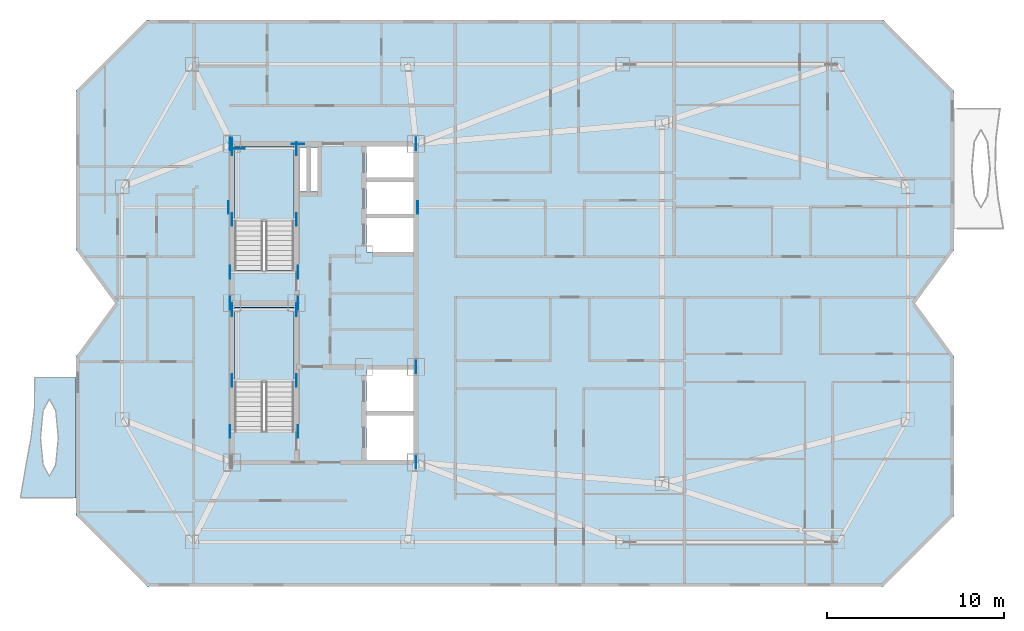
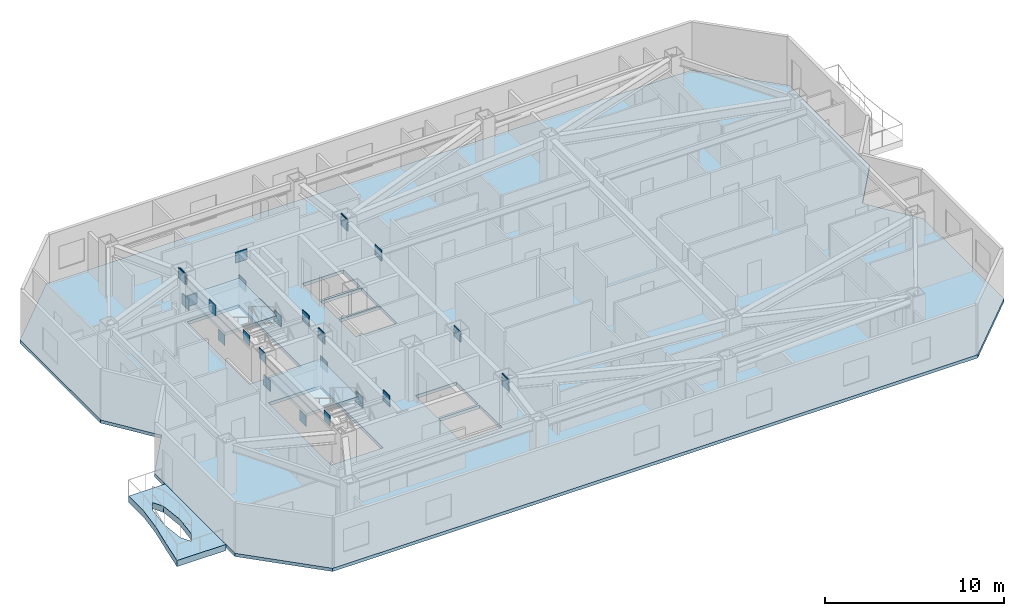
# One storey, part 2 of 10: 25 plates, 4 slabs, 2 elements without a shape of their own.
"""IFC4 building model written with IfcOpenShell, lengths in metres."""

import ifcopenshell
import ifcopenshell.guid

model = None  # the IFC model being written
_history = None  # IfcOwnerHistory: only IFC2X3 demands one
_inside = {}  # id of a spatial element -> (the spatial element, [elements in it])
_under = {}  # id of a project, library or spatial element -> (it, [spatial elements below it])
_declared = {}  # id of a project -> (the project, [libraries it declares])
_typed = {}  # id of a type object -> (the type object, [elements of that type])
_made_of = {}  # id of a material, layer set ... -> (it, [elements and type objects made of it])


def new_model(schema):
    """Start an empty IFC model of exactly this schema.

    Asked for "IFC4X3", IfcOpenShell would pick the latest addendum, in which some entities
    have other attributes; the version numbers below select the first issue.
    IFC2X3 requires an IfcOwnerHistory on every rooted entity: one is made here for all.
    """
    global model, _history
    if schema == "IFC4X3":
        model = ifcopenshell.file(schema_version=(4, 3, 0, 0))
    else:
        model = ifcopenshell.file(schema=schema)
    _inside.clear()
    _under.clear()
    _declared.clear()
    _typed.clear()
    _made_of.clear()
    _history = None
    if model.schema == "IFC2X3":
        org = make("IfcOrganization", Name="unknown")
        user = make(
            "IfcPersonAndOrganization",
            ThePerson=make("IfcPerson", FamilyName="unknown"),
            TheOrganization=org,
        )
        app = make(
            "IfcApplication",
            ApplicationDeveloper=org,
            Version="unknown",
            ApplicationFullName="unknown",
            ApplicationIdentifier="unknown",
        )
        _history = make(
            "IfcOwnerHistory",
            OwningUser=user,
            OwningApplication=app,
            ChangeAction="ADDED",
            CreationDate=0,
        )
    return model


def make(cls, **values):
    """One entity of the class cls with the attributes given. An attribute that is None is left unset."""
    return model.create_entity(
        cls, **{name: value for name, value in values.items() if value is not None}
    )


def rooted(cls, **values):
    """An entity with a GlobalId (a new one), such as an element, a storey or a relation."""
    return make(cls, GlobalId=ifcopenshell.guid.new(), OwnerHistory=_history, **values)


def si_unit(unit_type, name, prefix=None):
    """IfcSIUnit, for example si_unit("LENGTHUNIT", "METRE", prefix="MILLI")."""
    return make("IfcSIUnit", UnitType=unit_type, Prefix=prefix, Name=name)


def assignment(units):
    """IfcUnitAssignment: the units of a project."""
    return None if units is None else make("IfcUnitAssignment", Units=units)


def point(xyz):
    """IfcCartesianPoint."""
    return None if xyz is None else make("IfcCartesianPoint", Coordinates=xyz)


def direction(xyz):
    """IfcDirection."""
    return None if xyz is None else make("IfcDirection", DirectionRatios=xyz)


def frame(location, z_axis=None, x_axis=None):
    """IfcAxis2Placement3D, a coordinate frame: its origin and axes. An axis left out is left unset."""
    return make(
        "IfcAxis2Placement3D",
        Location=point(location),
        Axis=direction(z_axis),
        RefDirection=direction(x_axis),
    )


def frame_2d(location, x_axis=None):
    """IfcAxis2Placement2D, a coordinate frame in the plane: its origin and x axis."""
    return make(
        "IfcAxis2Placement2D", Location=point(location), RefDirection=direction(x_axis)
    )


def origin():
    """The frame at (0, 0, 0) with its axes left unset."""
    return frame((0.0, 0.0, 0.0))


def origin_2d():
    """The frame at (0, 0) in the plane with its x axis left unset."""
    return frame_2d((0.0, 0.0))


def place(relative_to, where):
    """IfcLocalPlacement: puts the frame where relative to a parent placement (None: the world)."""
    return make(
        "IfcLocalPlacement", PlacementRelTo=relative_to, RelativePlacement=where
    )


def context(
    kind, dimensions, precision=None, world=None, true_north=None, identifier=None
):
    """IfcGeometricRepresentationContext, for example the 3D "Model" context."""
    return make(
        "IfcGeometricRepresentationContext",
        ContextIdentifier=identifier,
        ContextType=kind,
        CoordinateSpaceDimension=dimensions,
        Precision=precision,
        WorldCoordinateSystem=world,
        TrueNorth=true_north,
    )


def subcontext(parent, identifier, kind, view, scale=None):
    """IfcGeometricRepresentationSubContext, for example "Body" below "Model"."""
    return make(
        "IfcGeometricRepresentationSubContext",
        ContextIdentifier=identifier,
        ContextType=kind,
        ParentContext=parent,
        TargetScale=scale,
        TargetView=view,
    )


def project(units=None, contexts=None):
    """IfcProject with its units and contexts."""
    return rooted(
        "IfcProject",
        Name="project",
        RepresentationContexts=contexts,
        UnitsInContext=assignment(units),
    )


def spatial(cls, under=None, at=None, **own):
    """A site, building, storey or space (cls), placed at a placement, below another one or the project."""
    s = rooted(cls, ObjectPlacement=at, **own)
    if under is not None:
        _under.setdefault(under.id(), (under, []))[1].append(s)
    return s


def polyline(points):
    """IfcPolyline through the points."""
    return make("IfcPolyline", Points=[point(p) for p in points])


def profile(cls, at=None, kind="AREA", **sizes):
    """A parametric profile (cls). Its sizes go by their IFC names, for example OverallWidth=200.0."""
    return make(cls, ProfileType=kind, Position=at, **sizes)


def rectangle(**sizes):
    """IfcRectangleProfileDef."""
    return profile("IfcRectangleProfileDef", **sizes)


def outline(outer, holes=None, kind="AREA"):
    """IfcArbitraryClosedProfileDef: a profile drawn as a closed curve; with holes, ...WithVoids."""
    if holes is None:
        return make("IfcArbitraryClosedProfileDef", ProfileType=kind, OuterCurve=outer)
    return make(
        "IfcArbitraryProfileDefWithVoids",
        ProfileType=kind,
        OuterCurve=outer,
        InnerCurves=holes,
    )


def extrude(swept, where, along, depth):
    """IfcExtrudedAreaSolid: the profile swept, set in the frame where, extruded along a direction by depth."""
    return make(
        "IfcExtrudedAreaSolid",
        SweptArea=swept,
        Position=where,
        ExtrudedDirection=direction(along),
        Depth=depth,
    )


def shape(context_of_items, identifier, shape_type, items):
    """IfcShapeRepresentation: the items that make up one representation, for example the "Body"."""
    return make(
        "IfcShapeRepresentation",
        ContextOfItems=context_of_items,
        RepresentationIdentifier=identifier,
        RepresentationType=shape_type,
        Items=items,
    )


def material(Name=None, Category=None):
    """IfcMaterial."""
    return make("IfcMaterial", Name=Name, Category=Category)


def layer(
    of_material, thickness, ventilated=None, Name=None, Category=None, Priority=None
):
    """IfcMaterialLayer: one layer of a wall or slab, of a material (None: an air gap)."""
    return make(
        "IfcMaterialLayer",
        Material=of_material,
        LayerThickness=thickness,
        IsVentilated=ventilated,
        Name=Name,
        Category=Category,
        Priority=Priority,
    )


def layer_set(layers, Name=None):
    """IfcMaterialLayerSet."""
    return make("IfcMaterialLayerSet", MaterialLayers=layers, LayerSetName=Name)


def made_of(thing, what):
    """Note that an element or type object is made of a material, layer set ...; save() writes the relation."""
    if what is not None:
        _made_of.setdefault(what.id(), (what, []))[1].append(thing)
    return thing


def type_object(cls, material=None, **own):
    """A type object (cls), such as IfcWallType, which elements share."""
    return made_of(rooted(cls, **own), material)


def element(
    cls,
    number,
    at=None,
    inside=None,
    cuts=None,
    type_object=None,
    material=None,
    context=None,
    identifier="Body",
    shape_type=None,
    held_by="IfcProductDefinitionShape",
    body=None,
    shapes=None,
    **own,
):
    """One element of the class cls, such as IfcWall. Its Tag is "e" and its number.

    at: its placement. inside: the storey or other place that contains it. cuts: it is an
    opening in that element (IfcRelVoidsElement). A single representation is given by context,
    identifier, shape_type and body (its items); several are given by shapes. held_by: the class
    of the entity that holds the representations. save() writes the other relations.
    """
    e = rooted(cls, Tag="e%d" % number, ObjectPlacement=at, **own)
    if body is not None:
        shapes = [shape(context, identifier, shape_type, body)]
    if shapes is not None:
        e.Representation = make(held_by, Representations=shapes)
    if inside is not None:
        _inside.setdefault(inside.id(), (inside, []))[1].append(e)
    if cuts is not None:
        rooted(
            "IfcRelVoidsElement", RelatingBuildingElement=cuts, RelatedOpeningElement=e
        )
    if type_object is not None:
        _typed.setdefault(type_object.id(), (type_object, []))[1].append(e)
    return made_of(e, material)


def aggregate(whole, parts):
    """IfcRelAggregates: a whole, such as a stair, and the parts it consists of."""
    return rooted("IfcRelAggregates", RelatingObject=whole, RelatedObjects=parts)


def save(model, path):
    """Write the relations noted so far, then the file.

    IfcRelAggregates (storeys below a building ...), IfcRelContainedInSpatialStructure (elements
    in a storey), IfcRelDefinesByType, IfcRelAssociatesMaterial and IfcRelDeclares: one each for
    every whole, place, type object, material and project.
    """
    for whole, parts in _under.values():
        aggregate(whole, parts)
    for where, things in _inside.values():
        rooted(
            "IfcRelContainedInSpatialStructure",
            RelatedElements=things,
            RelatingStructure=where,
        )
    for kind, things in _typed.values():
        rooted("IfcRelDefinesByType", RelatedObjects=things, RelatingType=kind)
    for what, things in _made_of.values():
        rooted("IfcRelAssociatesMaterial", RelatedObjects=things, RelatingMaterial=what)
    for by, libraries in _declared.values():
        rooted("IfcRelDeclares", RelatingContext=by, RelatedDefinitions=libraries)
    model.write(path)


model = new_model("IFC4")

# Units and contexts
model_context = context("Model", 3, precision=1e-05, world=origin(), true_north=direction((0.0, 1.0)))
body_context = subcontext(model_context, "Body", "Model", "MODEL_VIEW")
ifc_project = project(units=[si_unit("LENGTHUNIT", "METRE"), si_unit("AREAUNIT", "SQUARE_METRE"), si_unit("VOLUMEUNIT", "CUBIC_METRE"), si_unit("PLANEANGLEUNIT", "RADIAN"), si_unit("MASSUNIT", "GRAM", prefix="KILO")], contexts=[model_context])

# Site, building, storey
site_placement = place(None, origin())
site = spatial("IfcSite", under=ifc_project, at=site_placement, CompositionType="ELEMENT")
building_placement = place(site_placement, origin())
building = spatial("IfcBuilding", under=site, at=building_placement, Name="Khamvora Tower", CompositionType="ELEMENT")
storey_placement = place(building_placement, frame((0.0, 0.0, 250.050048828125)))
storey = spatial("IfcBuildingStorey", under=building, at=storey_placement, Name="L64", CompositionType="ELEMENT", Elevation=250.050048828125)

# Plates
ifc_material_1 = material(Name="Steel S460", Category="steel")
ifc_layer_1 = layer(ifc_material_1, 0.034912109375)
ifc_layer_set_1 = layer_set([ifc_layer_1], Name="Steel S460")
plate_type = type_object("IfcPlateType", Name="PL-EMB-35", PredefinedType="SHEET", material=ifc_layer_set_1)
for number, where, z_axis, x_axis, name in (
    (1, (29.0, 23.635009765625, 1.1337890625), (0.0, 0.0, 1.0), (1.0, 0.0, 0.0), "L64 core shear wall cast-in embed plate 1860"),
    (2, (32.64990234375, 23.635009765625, 1.1337890625), (0.0, 0.0, 1.0), (1.0, 0.0, 0.0), "L64 core shear wall cast-in embed plate 1861"),
    (3, (29.0, 27.6298828125, 1.1337890625), (0.0, 0.0, 1.0), (1.0, 0.0, 0.0), "L64 core shear wall cast-in embed plate 1862"),
    (4, (32.64990234375, 27.6298828125, 1.1337890625), (0.0, 0.0, 1.0), (1.0, 0.0, 0.0), "L64 core shear wall cast-in embed plate 1863"),
    (5, (29.0, 32.735107421875, 1.1337890625), (0.0, 0.0, 1.0), (1.0, 0.0, 0.0), "L64 core shear wall cast-in embed plate 1864"),
    (6, (32.64990234375, 32.735107421875, 1.1337890625), (0.0, 0.0, 1.0), (1.0, 0.0, 0.0), "L64 core shear wall cast-in embed plate 1865"),
    (7, (29.0, 36.72998046875, 1.1337890625), (0.0, 0.0, 1.0), (1.0, 0.0, 0.0), "L64 core shear wall cast-in embed plate 1866"),
    (8, (32.64990234375, 36.72998046875, 1.1337890625), (0.0, 0.0, 1.0), (1.0, 0.0, 0.0), "L64 core shear wall cast-in embed plate 1867"),
):
    element("IfcPlate", number, at=place(storey_placement, frame(where, z_axis=z_axis, x_axis=x_axis)), inside=storey, type_object=plate_type, Name=name, PredefinedType="SHEET", context=body_context, shape_type="SweptSolid", body=[
        extrude(rectangle(XDim=0.034912109375, YDim=0.719970703125, at=origin_2d()), origin(), (0.0, 0.0, 1.0), 0.719970703125),
    ])
plate_1_placement = place(storey_placement, frame((29.35009765625, 36.72998046875, 1.1337890625), z_axis=(0.0, 0.0, 1.0), x_axis=(1.0, 0.0, 0.0)))
element("IfcPlate", 9, at=plate_1_placement, inside=storey, type_object=plate_type, Name="L64 core shear wall cast-in embed plate 1868", PredefinedType="SHEET", context=body_context, shape_type="SweptSolid", body=[
    extrude(rectangle(XDim=0.719970703125, YDim=0.034912109375, at=origin_2d()), origin(), (0.0, 0.0, 1.0), 0.719970703125),
])
for number, where, z_axis, x_axis, name in (
    (10, (39.39990234375, 19.0, 2.72216796875), (0.0, 0.0, 1.0), (1.0, 0.0, 0.0), "L64 core shear wall cast-in embed plate 1870"),
    (11, (29.0, 37.0, 2.72216796875), (0.0, 0.0, 1.0), (1.0, 0.0, 0.0), "L64 core shear wall cast-in embed plate 1871"),
    (12, (39.39990234375, 37.0, 2.72216796875), (0.0, 0.0, 1.0), (1.0, 0.0, 0.0), "L64 core shear wall cast-in embed plate 1872"),
    (13, (28.89990234375, 28.0, 2.802734375), (0.0, 0.0, 1.0), (1.0, 0.0, 0.0), "L64 core shear wall cast-in embed plate 1874"),
    (14, (28.89990234375, 37.0, 2.802734375), (0.0, 0.0, 1.0), (1.0, 0.0, 0.0), "L64 core shear wall cast-in embed plate 1875"),
    (15, (32.72998046875, 28.0, 2.802734375), (0.0, 0.0, 1.0), (1.0, 0.0, 0.0), "L64 core shear wall cast-in embed plate 1877"),
):
    element("IfcPlate", number, at=place(storey_placement, frame(where, z_axis=z_axis, x_axis=x_axis)), inside=storey, type_object=plate_type, Name=name, PredefinedType="SHEET", context=body_context, shape_type="SweptSolid", body=[
        extrude(rectangle(XDim=0.034912109375, YDim=0.719970703125, at=origin_2d()), origin(), (0.0, 0.0, 1.0), 0.719970703125),
    ])
plate_2_placement = place(storey_placement, frame((32.72998046875, 37.0, 2.802734375), z_axis=(0.0, 0.0, 1.0), x_axis=(1.0, 0.0, 0.0)))
element("IfcPlate", 16, at=plate_2_placement, inside=storey, type_object=plate_type, Name="L64 core shear wall cast-in embed plate 1878", PredefinedType="SHEET", context=body_context, shape_type="SweptSolid", body=[
    extrude(rectangle(XDim=0.719970703125, YDim=0.034912109375, at=origin_2d()), origin(), (0.0, 0.0, 1.0), 0.719970703125),
])
for number, where, z_axis, x_axis, name in (
    (17, (39.39990234375, 19.0, 2.802734375), (0.0, 0.0, 1.0), (1.0, 0.0, 0.0), "L64 core shear wall cast-in embed plate 1879"),
    (18, (39.39990234375, 24.39990234375, 2.802734375), (0.0, 0.0, 1.0), (1.0, 0.0, 0.0), "L64 core shear wall cast-in embed plate 1880"),
    (19, (39.39990234375, 37.0, 2.802734375), (0.0, 0.0, 1.0), (1.0, 0.0, 0.0), "L64 core shear wall cast-in embed plate 1881"),
    (20, (28.89990234375, 20.75, 2.94384765625), (0.0, 0.0, 1.0), (1.0, 0.0, 0.0), "L64 core shear wall cast-in embed plate 1882"),
    (21, (32.72998046875, 20.75, 2.94384765625), (0.0, 0.0, 1.0), (1.0, 0.0, 0.0), "L64 core shear wall cast-in embed plate 1883"),
    (22, (28.89990234375, 29.75, 2.94384765625), (0.0, 0.0, 1.0), (1.0, 0.0, 0.0), "L64 core shear wall cast-in embed plate 1884"),
    (23, (32.72998046875, 29.75, 2.94384765625), (0.0, 0.0, 1.0), (1.0, 0.0, 0.0), "L64 core shear wall cast-in embed plate 1885"),
    (24, (28.800048828125, 33.39990234375, 2.83984375), (0.0, 0.0, 1.0), (1.0, 0.0, 0.0), "L64 core shear wall cast-in embed plate 1886"),
    (25, (39.4990234375, 33.39990234375, 2.83984375), (0.0, 0.0, 1.0), (1.0, 0.0, 0.0), "L64 core shear wall cast-in embed plate 1887"),
):
    element("IfcPlate", number, at=place(storey_placement, frame(where, z_axis=z_axis, x_axis=x_axis)), inside=storey, type_object=plate_type, Name=name, PredefinedType="SHEET", context=body_context, shape_type="SweptSolid", body=[
        extrude(rectangle(XDim=0.034912109375, YDim=0.719970703125, at=origin_2d()), origin(), (0.0, 0.0, 1.0), 0.719970703125),
    ])

# Slab
ifc_material_2 = material(Name="Concrete C40/50", Category="concrete")
ifc_layer_2 = layer(ifc_material_2, 0.419921875)
ifc_layer_set_2 = layer_set([ifc_layer_2], Name="Concrete C40/50")
slab_type_1 = type_object("IfcSlabType", Name="SLB-GRD-420", PredefinedType="FLOOR", material=ifc_layer_set_2)
slab_1_placement = place(storey_placement, frame((0.0, 0.0, -0.420166015625)))
element("IfcSlab", 26, at=slab_1_placement, inside=storey, type_object=slab_type_1, Name="L64 external lens gallery slab WL1", PredefinedType="FLOOR", context=body_context, shape_type="SweptSolid", body=[
    extrude(outline(polyline([(20.199951171875, 17.0), (20.199951171875, 23.800048828125), (17.84912109375, 23.800048828125), (17.846923828125, 22.10009765625), (17.64794921875, 20.39990234375), (17.3369140625, 18.699951171875), (17.048095703125, 17.0), (20.199951171875, 17.0)]), holes=[polyline([(19.18896484375, 20.39990234375), (19.041015625, 21.93896484375), (18.68505859375, 22.575927734375), (18.3291015625, 21.93896484375), (18.180908203125, 20.39990234375), (18.3291015625, 18.861083984375), (18.68505859375, 18.22412109375), (19.041015625, 18.861083984375), (19.18896484375, 20.39990234375)])]), origin(), (0.0, 0.0, 1.0), 0.420166015625),
])

# Stair, slab
stair_type_1 = type_object("IfcStairType", Name="STR-ST-01", PredefinedType="HALF_TURN_STAIR", material=ifc_material_2)
stair_1_placement = place(storey_placement, origin())
stair_1 = element("IfcStair", 27, at=stair_1_placement, inside=storey, type_object=stair_type_1, Name="L64 South Tower Exit Stair ST-01", PredefinedType="HALF_TURN_STAIR")
ifc_layer_3 = layer(ifc_material_2, 0.199951171875)
ifc_layer_set_3 = layer_set([ifc_layer_3], Name="Concrete C40/50")
slab_type_2 = type_object("IfcSlabType", Name="SLB-LND-200", PredefinedType="LANDING", material=ifc_layer_set_3)
slab_2_placement = place(storey_placement, frame((0.0, 0.0, 1.625)))
slab_2 = element("IfcSlab", 28, at=slab_2_placement, type_object=slab_type_2, Name="ST-01 landing 1", PredefinedType="LANDING", context=body_context, shape_type="SweptSolid", body=[
    extrude(outline(polyline([(32.5, 23.514892578125), (32.5, 27.75), (29.14990234375, 27.75), (29.14990234375, 23.514892578125), (32.5, 23.514892578125)])), origin(), (0.0, 0.0, 1.0), 0.199951171875),
])
aggregate(stair_1, [slab_2])

stair_type_2 = type_object("IfcStairType", Name="STR-ST-02", PredefinedType="HALF_TURN_STAIR", material=ifc_material_2)
stair_2_placement = place(storey_placement, origin())
stair_2 = element("IfcStair", 29, at=stair_2_placement, inside=storey, type_object=stair_type_2, Name="L64 North Tower Exit Stair ST-02", PredefinedType="HALF_TURN_STAIR")
slab_3_placement = place(storey_placement, frame((0.0, 0.0, 1.625)))
slab_3 = element("IfcSlab", 30, at=slab_3_placement, type_object=slab_type_2, Name="ST-02 landing 1", PredefinedType="LANDING", context=body_context, shape_type="SweptSolid", body=[
    extrude(outline(polyline([(32.5, 32.614990234375), (32.5, 36.85009765625), (29.14990234375, 36.85009765625), (29.14990234375, 32.614990234375), (32.5, 32.614990234375)])), origin(), (0.0, 0.0, 1.0), 0.199951171875),
])
aggregate(stair_2, [slab_3])

# Slab
ifc_material_3 = material(Name="Concrete C35/45", Category="concrete")
ifc_layer_4 = layer(ifc_material_3, 0.219970703125)
ifc_layer_set_4 = layer_set([ifc_layer_4], Name="Concrete C35/45")
slab_type_3 = type_object("IfcSlabType", Name="SLB-TYP-220", PredefinedType="FLOOR", material=ifc_layer_set_4)
slab_4_placement = place(storey_placement, frame((0.0, 0.0, -0.219970703125)))
element("IfcSlab", 31, at=slab_4_placement, inside=storey, type_object=slab_type_3, Name="L64 structural floor slab", PredefinedType="FLOOR", context=body_context, shape_type="SweptSolid", body=[
    extrude(outline(polyline([(24.199951171875, 12.0), (65.800048828125, 12.0), (69.800048828125, 16.0), (69.800048828125, 25.0), (67.60009765625, 28.0), (69.800048828125, 31.0), (69.800048828125, 40.0), (65.800048828125, 44.0), (24.199951171875, 44.0), (20.199951171875, 40.0), (20.199951171875, 31.0), (22.39990234375, 28.0), (20.199951171875, 25.0), (20.199951171875, 16.0), (24.199951171875, 12.0)]), holes=[polyline([(32.5, 20.760009765625), (32.5, 27.75), (29.14990234375, 27.75), (29.14990234375, 20.760009765625), (32.5, 20.760009765625)]), polyline([(32.5, 29.860107421875), (32.5, 36.85009765625), (29.14990234375, 36.85009765625), (29.14990234375, 29.860107421875), (32.5, 29.860107421875)]), polyline([(36.60009765625, 19.14990234375), (39.25, 19.14990234375), (39.25, 21.64990234375), (36.60009765625, 21.64990234375), (36.60009765625, 19.14990234375)]), polyline([(36.60009765625, 21.800048828125), (39.25, 21.800048828125), (39.25, 24.25), (36.60009765625, 24.25), (36.60009765625, 21.800048828125)]), polyline([(36.60009765625, 30.89990234375), (39.25, 30.89990234375), (39.25, 32.800048828125), (36.60009765625, 32.800048828125), (36.60009765625, 30.89990234375)]), polyline([(36.60009765625, 32.949951171875), (39.25, 32.949951171875), (39.25, 34.85009765625), (36.60009765625, 34.85009765625), (36.60009765625, 32.949951171875)]), polyline([(36.60009765625, 35.0), (39.25, 35.0), (39.25, 36.85009765625), (36.60009765625, 36.85009765625), (36.60009765625, 35.0)]), polyline([(32.800048828125, 34.300048828125), (33.199951171875, 34.300048828125), (33.199951171875, 36.800048828125), (32.800048828125, 36.800048828125), (32.800048828125, 34.300048828125)]), polyline([(33.47998046875, 34.300048828125), (33.820068359375, 34.300048828125), (33.820068359375, 36.800048828125), (33.47998046875, 36.800048828125), (33.47998046875, 34.300048828125)])]), origin(), (0.0, 0.0, 1.0), 0.219970703125),
])

save(model, "model.ifc")
